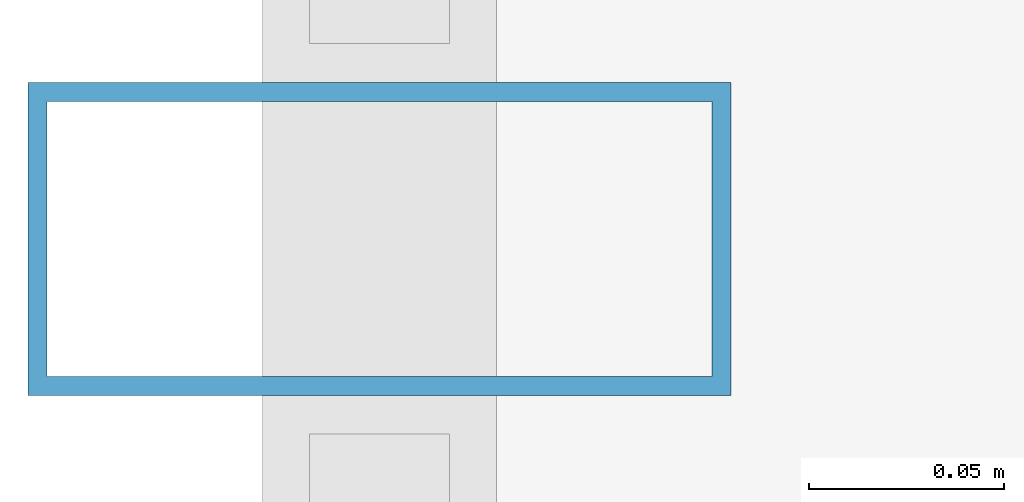
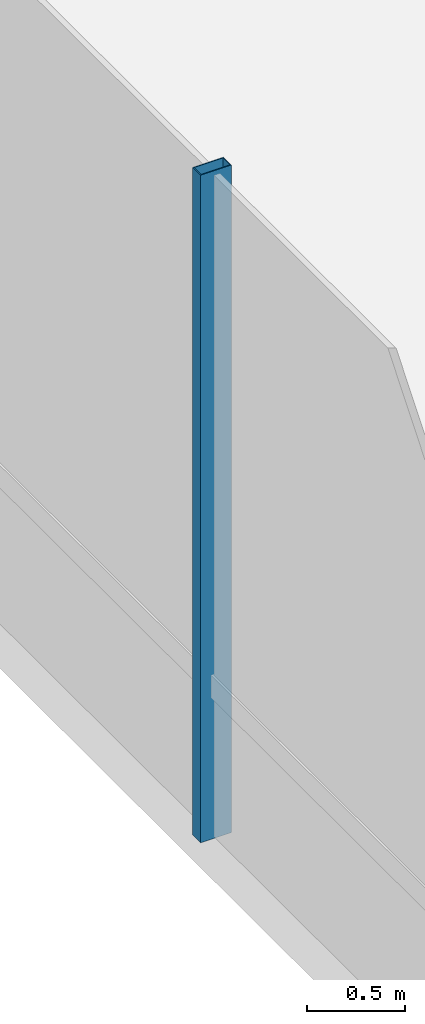
# One storey, part 5 of 37: 1 member, 1 element without a shape of its own.
"""IFC4 building model written with IfcOpenShell, lengths in metres."""

from ifc_helpers import new_model, si_unit, direction, frame, origin, origin_2d, place, context, subcontext, project, spatial, hollow_rectangle, extrude, material, layer, layer_set, material_profile, profile_set, type_object, element, aggregate, save


model = new_model("IFC4")

# Units and contexts
model_context = context("Model", 3, precision=1e-05, world=origin(), true_north=direction((0.0, 1.0)))
body_context = subcontext(model_context, "Body", "Model", "MODEL_VIEW")
ifc_project = project(units=[si_unit("LENGTHUNIT", "METRE"), si_unit("AREAUNIT", "SQUARE_METRE"), si_unit("VOLUMEUNIT", "CUBIC_METRE"), si_unit("PLANEANGLEUNIT", "RADIAN"), si_unit("MASSUNIT", "GRAM", prefix="KILO")], contexts=[model_context])

# Site, building, storey
site_placement = place(None, origin())
site = spatial("IfcSite", under=ifc_project, at=site_placement, CompositionType="ELEMENT")
building_placement = place(site_placement, origin())
building = spatial("IfcBuilding", under=site, at=building_placement, Name="Zarrinselat Tower", CompositionType="ELEMENT")
storey_placement = place(building_placement, frame((0.0, 0.0, 9.52001953125)))
storey = spatial("IfcBuildingStorey", under=building, at=storey_placement, Name="L02", CompositionType="ELEMENT", Elevation=9.52001953125)

# Curtain wall, member
ifc_material_1 = material(Name="Extruded Aluminium Alloy EN AW-6063 T6", Category="aluminium")
ifc_layer = layer(ifc_material_1, 0.2099609375)
ifc_layer_set = layer_set([ifc_layer], Name="Extruded Aluminium Alloy EN AW-6063 T6")
curtain_wall_type = type_object("IfcCurtainWallType", Name="CWS-POD", PredefinedType="NOTDEFINED", material=ifc_layer_set)
curtain_wall_placement = place(storey_placement, origin())
curtain_wall = element("IfcCurtainWall", 1, at=curtain_wall_placement, inside=storey, type_object=curtain_wall_type, Name="L02 Unitised Curtain Wall CW-L02-F7", PredefinedType="NOTDEFINED")
ifc_material_2 = material(Name="Extruded Aluminium Alloy EN AW-6063 T6", Category="aluminium")
ifc_material_profile = material_profile(ifc_material_2, hollow_rectangle(XDim=0.080078125, YDim=0.179931640625, WallThickness=0.0048828125, at=origin_2d()), Name="RHS 180x80x5")
ifc_profile_set = profile_set([ifc_material_profile], Name="Extruded Aluminium Alloy EN AW-6063 T6")
member_type = type_object("IfcMemberType", Name="MEM-CW-MUL", PredefinedType="MULLION", material=ifc_profile_set)
member_placement = place(storey_placement, frame((2.39990234375, 21.3798828125, 0.0), z_axis=(0.0, 0.0, 1.0), x_axis=(0.0, -1.0, 0.0)))
member = element("IfcMember", 2, at=member_placement, type_object=member_type, Name="CW-L02-F7 Mullion 7", PredefinedType="MULLION", context=body_context, shape_type="SweptSolid", body=[
    extrude(hollow_rectangle(XDim=0.080078125, YDim=0.179931640625, WallThickness=0.0048828125, at=origin_2d()), origin(), (0.0, 0.0, 1.0), 4.139892578125),
])
aggregate(curtain_wall, [member])

save(model, "model.ifc")
